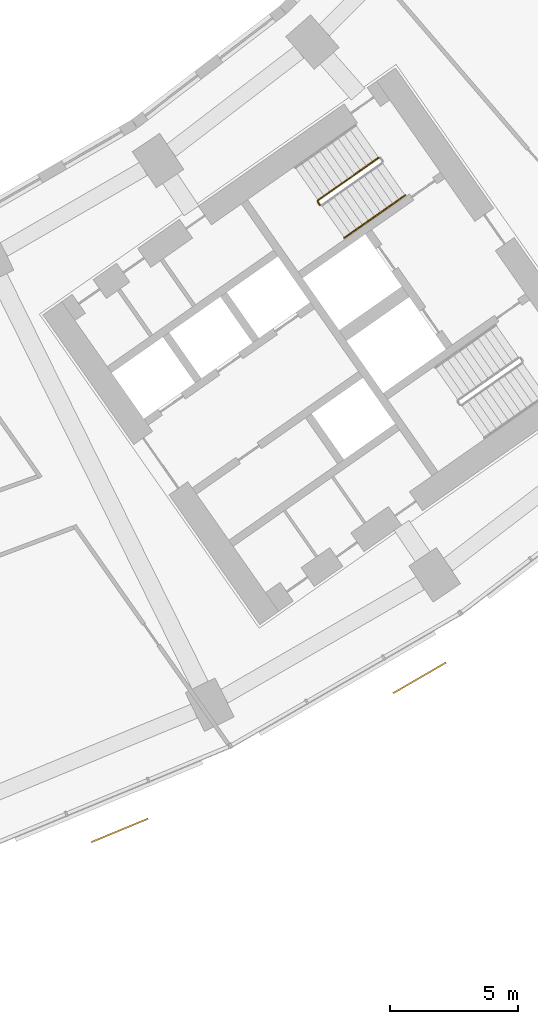
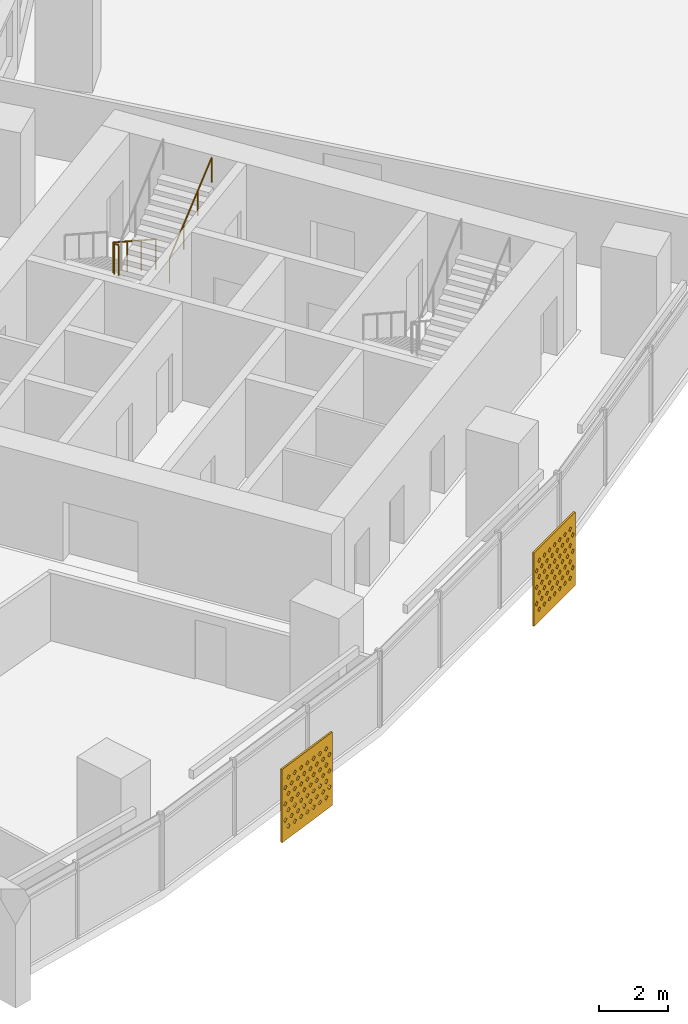
# One storey, part 27 of 29: 2 railings, 2 shading devices.
"""IFC4 building model written with IfcOpenShell, lengths in metres."""

import ifcopenshell
import ifcopenshell.guid

model = None  # the IFC model being written
_history = None  # IfcOwnerHistory: only IFC2X3 demands one
_inside = {}  # id of a spatial element -> (the spatial element, [elements in it])
_under = {}  # id of a project, library or spatial element -> (it, [spatial elements below it])
_declared = {}  # id of a project -> (the project, [libraries it declares])
_typed = {}  # id of a type object -> (the type object, [elements of that type])
_made_of = {}  # id of a material, layer set ... -> (it, [elements and type objects made of it])


def new_model(schema):
    """Start an empty IFC model of exactly this schema.

    Asked for "IFC4X3", IfcOpenShell would pick the latest addendum, in which some entities
    have other attributes; the version numbers below select the first issue.
    IFC2X3 requires an IfcOwnerHistory on every rooted entity: one is made here for all.
    """
    global model, _history
    if schema == "IFC4X3":
        model = ifcopenshell.file(schema_version=(4, 3, 0, 0))
    else:
        model = ifcopenshell.file(schema=schema)
    _inside.clear()
    _under.clear()
    _declared.clear()
    _typed.clear()
    _made_of.clear()
    _history = None
    if model.schema == "IFC2X3":
        org = make("IfcOrganization", Name="unknown")
        user = make(
            "IfcPersonAndOrganization",
            ThePerson=make("IfcPerson", FamilyName="unknown"),
            TheOrganization=org,
        )
        app = make(
            "IfcApplication",
            ApplicationDeveloper=org,
            Version="unknown",
            ApplicationFullName="unknown",
            ApplicationIdentifier="unknown",
        )
        _history = make(
            "IfcOwnerHistory",
            OwningUser=user,
            OwningApplication=app,
            ChangeAction="ADDED",
            CreationDate=0,
        )
    return model


def make(cls, **values):
    """One entity of the class cls with the attributes given. An attribute that is None is left unset."""
    return model.create_entity(
        cls, **{name: value for name, value in values.items() if value is not None}
    )


def rooted(cls, **values):
    """An entity with a GlobalId (a new one), such as an element, a storey or a relation."""
    return make(cls, GlobalId=ifcopenshell.guid.new(), OwnerHistory=_history, **values)


def si_unit(unit_type, name, prefix=None):
    """IfcSIUnit, for example si_unit("LENGTHUNIT", "METRE", prefix="MILLI")."""
    return make("IfcSIUnit", UnitType=unit_type, Prefix=prefix, Name=name)


def assignment(units):
    """IfcUnitAssignment: the units of a project."""
    return None if units is None else make("IfcUnitAssignment", Units=units)


def point(xyz):
    """IfcCartesianPoint."""
    return None if xyz is None else make("IfcCartesianPoint", Coordinates=xyz)


def direction(xyz):
    """IfcDirection."""
    return None if xyz is None else make("IfcDirection", DirectionRatios=xyz)


def frame(location, z_axis=None, x_axis=None):
    """IfcAxis2Placement3D, a coordinate frame: its origin and axes. An axis left out is left unset."""
    return make(
        "IfcAxis2Placement3D",
        Location=point(location),
        Axis=direction(z_axis),
        RefDirection=direction(x_axis),
    )


def frame_2d(location, x_axis=None):
    """IfcAxis2Placement2D, a coordinate frame in the plane: its origin and x axis."""
    return make(
        "IfcAxis2Placement2D", Location=point(location), RefDirection=direction(x_axis)
    )


def origin():
    """The frame at (0, 0, 0) with its axes left unset."""
    return frame((0.0, 0.0, 0.0))


def origin_2d():
    """The frame at (0, 0) in the plane with its x axis left unset."""
    return frame_2d((0.0, 0.0))


def place(relative_to, where):
    """IfcLocalPlacement: puts the frame where relative to a parent placement (None: the world)."""
    return make(
        "IfcLocalPlacement", PlacementRelTo=relative_to, RelativePlacement=where
    )


def context(
    kind, dimensions, precision=None, world=None, true_north=None, identifier=None
):
    """IfcGeometricRepresentationContext, for example the 3D "Model" context."""
    return make(
        "IfcGeometricRepresentationContext",
        ContextIdentifier=identifier,
        ContextType=kind,
        CoordinateSpaceDimension=dimensions,
        Precision=precision,
        WorldCoordinateSystem=world,
        TrueNorth=true_north,
    )


def subcontext(parent, identifier, kind, view, scale=None):
    """IfcGeometricRepresentationSubContext, for example "Body" below "Model"."""
    return make(
        "IfcGeometricRepresentationSubContext",
        ContextIdentifier=identifier,
        ContextType=kind,
        ParentContext=parent,
        TargetScale=scale,
        TargetView=view,
    )


def project(units=None, contexts=None):
    """IfcProject with its units and contexts."""
    return rooted(
        "IfcProject",
        Name="project",
        RepresentationContexts=contexts,
        UnitsInContext=assignment(units),
    )


def spatial(cls, under=None, at=None, **own):
    """A site, building, storey or space (cls), placed at a placement, below another one or the project."""
    s = rooted(cls, ObjectPlacement=at, **own)
    if under is not None:
        _under.setdefault(under.id(), (under, []))[1].append(s)
    return s


def polyline(points):
    """IfcPolyline through the points."""
    return make("IfcPolyline", Points=[point(p) for p in points])


def profile(cls, at=None, kind="AREA", **sizes):
    """A parametric profile (cls). Its sizes go by their IFC names, for example OverallWidth=200.0."""
    return make(cls, ProfileType=kind, Position=at, **sizes)


def circle(**sizes):
    """IfcCircleProfileDef."""
    return profile("IfcCircleProfileDef", **sizes)


def outline(outer, holes=None, kind="AREA"):
    """IfcArbitraryClosedProfileDef: a profile drawn as a closed curve; with holes, ...WithVoids."""
    if holes is None:
        return make("IfcArbitraryClosedProfileDef", ProfileType=kind, OuterCurve=outer)
    return make(
        "IfcArbitraryProfileDefWithVoids",
        ProfileType=kind,
        OuterCurve=outer,
        InnerCurves=holes,
    )


def extrude(swept, where, along, depth):
    """IfcExtrudedAreaSolid: the profile swept, set in the frame where, extruded along a direction by depth."""
    return make(
        "IfcExtrudedAreaSolid",
        SweptArea=swept,
        Position=where,
        ExtrudedDirection=direction(along),
        Depth=depth,
    )


def shape(context_of_items, identifier, shape_type, items):
    """IfcShapeRepresentation: the items that make up one representation, for example the "Body"."""
    return make(
        "IfcShapeRepresentation",
        ContextOfItems=context_of_items,
        RepresentationIdentifier=identifier,
        RepresentationType=shape_type,
        Items=items,
    )


def material(Name=None, Category=None):
    """IfcMaterial."""
    return make("IfcMaterial", Name=Name, Category=Category)


def material_profile(
    of_material, cross_section, Name=None, Category=None, Priority=None
):
    """IfcMaterialProfile: a cross section and its material."""
    return make(
        "IfcMaterialProfile",
        Name=Name,
        Material=of_material,
        Profile=cross_section,
        Priority=Priority,
        Category=Category,
    )


def profile_set(profiles, Name=None, composite=None):
    """IfcMaterialProfileSet."""
    return make(
        "IfcMaterialProfileSet",
        Name=Name,
        MaterialProfiles=profiles,
        CompositeProfile=composite,
    )


def made_of(thing, what):
    """Note that an element or type object is made of a material, layer set ...; save() writes the relation."""
    if what is not None:
        _made_of.setdefault(what.id(), (what, []))[1].append(thing)
    return thing


def type_object(cls, material=None, **own):
    """A type object (cls), such as IfcWallType, which elements share."""
    return made_of(rooted(cls, **own), material)


def element(
    cls,
    number,
    at=None,
    inside=None,
    cuts=None,
    type_object=None,
    material=None,
    context=None,
    identifier="Body",
    shape_type=None,
    held_by="IfcProductDefinitionShape",
    body=None,
    shapes=None,
    **own,
):
    """One element of the class cls, such as IfcWall. Its Tag is "e" and its number.

    at: its placement. inside: the storey or other place that contains it. cuts: it is an
    opening in that element (IfcRelVoidsElement). A single representation is given by context,
    identifier, shape_type and body (its items); several are given by shapes. held_by: the class
    of the entity that holds the representations. save() writes the other relations.
    """
    e = rooted(cls, Tag="e%d" % number, ObjectPlacement=at, **own)
    if body is not None:
        shapes = [shape(context, identifier, shape_type, body)]
    if shapes is not None:
        e.Representation = make(held_by, Representations=shapes)
    if inside is not None:
        _inside.setdefault(inside.id(), (inside, []))[1].append(e)
    if cuts is not None:
        rooted(
            "IfcRelVoidsElement", RelatingBuildingElement=cuts, RelatedOpeningElement=e
        )
    if type_object is not None:
        _typed.setdefault(type_object.id(), (type_object, []))[1].append(e)
    return made_of(e, material)


def aggregate(whole, parts):
    """IfcRelAggregates: a whole, such as a stair, and the parts it consists of."""
    return rooted("IfcRelAggregates", RelatingObject=whole, RelatedObjects=parts)


def save(model, path):
    """Write the relations noted so far, then the file.

    IfcRelAggregates (storeys below a building ...), IfcRelContainedInSpatialStructure (elements
    in a storey), IfcRelDefinesByType, IfcRelAssociatesMaterial and IfcRelDeclares: one each for
    every whole, place, type object, material and project.
    """
    for whole, parts in _under.values():
        aggregate(whole, parts)
    for where, things in _inside.values():
        rooted(
            "IfcRelContainedInSpatialStructure",
            RelatedElements=things,
            RelatingStructure=where,
        )
    for kind, things in _typed.values():
        rooted("IfcRelDefinesByType", RelatedObjects=things, RelatingType=kind)
    for what, things in _made_of.values():
        rooted("IfcRelAssociatesMaterial", RelatedObjects=things, RelatingMaterial=what)
    for by, libraries in _declared.values():
        rooted("IfcRelDeclares", RelatingContext=by, RelatedDefinitions=libraries)
    model.write(path)


model = new_model("IFC4")

# Units and contexts
model_context = context("Model", 3, precision=1e-05, world=origin(), true_north=direction((0.0, 1.0)))
body_context = subcontext(model_context, "Body", "Model", "MODEL_VIEW")
ifc_project = project(units=[si_unit("LENGTHUNIT", "METRE"), si_unit("AREAUNIT", "SQUARE_METRE"), si_unit("VOLUMEUNIT", "CUBIC_METRE"), si_unit("PLANEANGLEUNIT", "RADIAN"), si_unit("MASSUNIT", "GRAM", prefix="KILO")], contexts=[model_context])

# Site, building, storey
site_placement = place(None, origin())
site = spatial("IfcSite", under=ifc_project, at=site_placement, CompositionType="ELEMENT")
building_placement = place(site_placement, origin())
building = spatial("IfcBuilding", under=site, at=building_placement, Name="Qamariyya Broadcast Tower", CompositionType="ELEMENT")
storey_placement = place(building_placement, frame((0.0, 0.0, 44.300048828125)))
storey = spatial("IfcBuildingStorey", under=building, at=storey_placement, Name="L07", CompositionType="ELEMENT", Elevation=44.300048828125)

# Shading devices
ifc_material_1 = material(Name="Perforated glazed terracotta", Category="masonry")
ifc_material_profile = material_profile(ifc_material_1, outline(polyline([(-1.199951171875, -1.300048828125), (1.199951171875, -1.300048828125), (1.199951171875, 1.300048828125), (-1.199951171875, 1.300048828125), (-1.199951171875, -1.300048828125)]), holes=[polyline([(-0.81494140625, -0.86669921875), (-0.89990234375, -0.78173828125), (-0.985107421875, -0.86669921875), (-0.89990234375, -0.95166015625), (-0.81494140625, -0.86669921875)]), polyline([(-0.514892578125, -0.86669921875), (-0.60009765625, -0.78173828125), (-0.68505859375, -0.86669921875), (-0.60009765625, -0.95166015625), (-0.514892578125, -0.86669921875)]), polyline([(-0.215087890625, -0.86669921875), (-0.300048828125, -0.78173828125), (-0.385009765625, -0.86669921875), (-0.300048828125, -0.95166015625), (-0.215087890625, -0.86669921875)]), polyline([(0.0849609375, -0.86669921875), (0.0, -0.78173828125), (-0.0849609375, -0.86669921875), (0.0, -0.95166015625), (0.0849609375, -0.86669921875)]), polyline([(0.385009765625, -0.86669921875), (0.300048828125, -0.78173828125), (0.215087890625, -0.86669921875), (0.300048828125, -0.95166015625), (0.385009765625, -0.86669921875)]), polyline([(0.68505859375, -0.86669921875), (0.60009765625, -0.78173828125), (0.514892578125, -0.86669921875), (0.60009765625, -0.95166015625), (0.68505859375, -0.86669921875)]), polyline([(0.985107421875, -0.86669921875), (0.89990234375, -0.78173828125), (0.81494140625, -0.86669921875), (0.89990234375, -0.95166015625), (0.985107421875, -0.86669921875)]), polyline([(-0.965087890625, -0.577880859375), (-1.050048828125, -0.49267578125), (-1.135009765625, -0.577880859375), (-1.050048828125, -0.662841796875), (-0.965087890625, -0.577880859375)]), polyline([(-0.6650390625, -0.577880859375), (-0.75, -0.49267578125), (-0.8349609375, -0.577880859375), (-0.75, -0.662841796875), (-0.6650390625, -0.577880859375)]), polyline([(-0.364990234375, -0.577880859375), (-0.449951171875, -0.49267578125), (-0.534912109375, -0.577880859375), (-0.449951171875, -0.662841796875), (-0.364990234375, -0.577880859375)]), polyline([(-0.06494140625, -0.577880859375), (-0.14990234375, -0.49267578125), (-0.235107421875, -0.577880859375), (-0.14990234375, -0.662841796875), (-0.06494140625, -0.577880859375)]), polyline([(0.235107421875, -0.577880859375), (0.14990234375, -0.49267578125), (0.06494140625, -0.577880859375), (0.14990234375, -0.662841796875), (0.235107421875, -0.577880859375)]), polyline([(0.534912109375, -0.577880859375), (0.449951171875, -0.49267578125), (0.364990234375, -0.577880859375), (0.449951171875, -0.662841796875), (0.534912109375, -0.577880859375)]), polyline([(0.8349609375, -0.577880859375), (0.75, -0.49267578125), (0.6650390625, -0.577880859375), (0.75, -0.662841796875), (0.8349609375, -0.577880859375)]), polyline([(1.135009765625, -0.577880859375), (1.050048828125, -0.49267578125), (0.965087890625, -0.577880859375), (1.050048828125, -0.662841796875), (1.135009765625, -0.577880859375)]), polyline([(-0.81494140625, -0.288818359375), (-0.89990234375, -0.203857421875), (-0.985107421875, -0.288818359375), (-0.89990234375, -0.373779296875), (-0.81494140625, -0.288818359375)]), polyline([(-0.514892578125, -0.288818359375), (-0.60009765625, -0.203857421875), (-0.68505859375, -0.288818359375), (-0.60009765625, -0.373779296875), (-0.514892578125, -0.288818359375)]), polyline([(-0.215087890625, -0.288818359375), (-0.300048828125, -0.203857421875), (-0.385009765625, -0.288818359375), (-0.300048828125, -0.373779296875), (-0.215087890625, -0.288818359375)]), polyline([(0.0849609375, -0.288818359375), (0.0, -0.203857421875), (-0.0849609375, -0.288818359375), (0.0, -0.373779296875), (0.0849609375, -0.288818359375)]), polyline([(0.385009765625, -0.288818359375), (0.300048828125, -0.203857421875), (0.215087890625, -0.288818359375), (0.300048828125, -0.373779296875), (0.385009765625, -0.288818359375)]), polyline([(0.68505859375, -0.288818359375), (0.60009765625, -0.203857421875), (0.514892578125, -0.288818359375), (0.60009765625, -0.373779296875), (0.68505859375, -0.288818359375)]), polyline([(0.985107421875, -0.288818359375), (0.89990234375, -0.203857421875), (0.81494140625, -0.288818359375), (0.89990234375, -0.373779296875), (0.985107421875, -0.288818359375)]), polyline([(-0.965087890625, 0.0), (-1.050048828125, 0.0849609375), (-1.135009765625, 0.0), (-1.050048828125, -0.0849609375), (-0.965087890625, 0.0)]), polyline([(-0.6650390625, 0.0), (-0.75, 0.0849609375), (-0.8349609375, 0.0), (-0.75, -0.0849609375), (-0.6650390625, 0.0)]), polyline([(-0.364990234375, 0.0), (-0.449951171875, 0.0849609375), (-0.534912109375, 0.0), (-0.449951171875, -0.0849609375), (-0.364990234375, 0.0)]), polyline([(-0.06494140625, 0.0), (-0.14990234375, 0.0849609375), (-0.235107421875, 0.0), (-0.14990234375, -0.0849609375), (-0.06494140625, 0.0)]), polyline([(0.235107421875, 0.0), (0.14990234375, 0.0849609375), (0.06494140625, 0.0), (0.14990234375, -0.0849609375), (0.235107421875, 0.0)]), polyline([(0.534912109375, 0.0), (0.449951171875, 0.0849609375), (0.364990234375, 0.0), (0.449951171875, -0.0849609375), (0.534912109375, 0.0)]), polyline([(0.8349609375, 0.0), (0.75, 0.0849609375), (0.6650390625, 0.0), (0.75, -0.0849609375), (0.8349609375, 0.0)]), polyline([(1.135009765625, 0.0), (1.050048828125, 0.0849609375), (0.965087890625, 0.0), (1.050048828125, -0.0849609375), (1.135009765625, 0.0)]), polyline([(-0.81494140625, 0.288818359375), (-0.89990234375, 0.373779296875), (-0.985107421875, 0.288818359375), (-0.89990234375, 0.203857421875), (-0.81494140625, 0.288818359375)]), polyline([(-0.514892578125, 0.288818359375), (-0.60009765625, 0.373779296875), (-0.68505859375, 0.288818359375), (-0.60009765625, 0.203857421875), (-0.514892578125, 0.288818359375)]), polyline([(-0.215087890625, 0.288818359375), (-0.300048828125, 0.373779296875), (-0.385009765625, 0.288818359375), (-0.300048828125, 0.203857421875), (-0.215087890625, 0.288818359375)]), polyline([(0.0849609375, 0.288818359375), (0.0, 0.373779296875), (-0.0849609375, 0.288818359375), (0.0, 0.203857421875), (0.0849609375, 0.288818359375)]), polyline([(0.385009765625, 0.288818359375), (0.300048828125, 0.373779296875), (0.215087890625, 0.288818359375), (0.300048828125, 0.203857421875), (0.385009765625, 0.288818359375)]), polyline([(0.68505859375, 0.288818359375), (0.60009765625, 0.373779296875), (0.514892578125, 0.288818359375), (0.60009765625, 0.203857421875), (0.68505859375, 0.288818359375)]), polyline([(0.985107421875, 0.288818359375), (0.89990234375, 0.373779296875), (0.81494140625, 0.288818359375), (0.89990234375, 0.203857421875), (0.985107421875, 0.288818359375)]), polyline([(-0.965087890625, 0.577880859375), (-1.050048828125, 0.662841796875), (-1.135009765625, 0.577880859375), (-1.050048828125, 0.49267578125), (-0.965087890625, 0.577880859375)]), polyline([(-0.6650390625, 0.577880859375), (-0.75, 0.662841796875), (-0.8349609375, 0.577880859375), (-0.75, 0.49267578125), (-0.6650390625, 0.577880859375)]), polyline([(-0.364990234375, 0.577880859375), (-0.449951171875, 0.662841796875), (-0.534912109375, 0.577880859375), (-0.449951171875, 0.49267578125), (-0.364990234375, 0.577880859375)]), polyline([(-0.06494140625, 0.577880859375), (-0.14990234375, 0.662841796875), (-0.235107421875, 0.577880859375), (-0.14990234375, 0.49267578125), (-0.06494140625, 0.577880859375)]), polyline([(0.235107421875, 0.577880859375), (0.14990234375, 0.662841796875), (0.06494140625, 0.577880859375), (0.14990234375, 0.49267578125), (0.235107421875, 0.577880859375)]), polyline([(0.534912109375, 0.577880859375), (0.449951171875, 0.662841796875), (0.364990234375, 0.577880859375), (0.449951171875, 0.49267578125), (0.534912109375, 0.577880859375)]), polyline([(0.8349609375, 0.577880859375), (0.75, 0.662841796875), (0.6650390625, 0.577880859375), (0.75, 0.49267578125), (0.8349609375, 0.577880859375)]), polyline([(1.135009765625, 0.577880859375), (1.050048828125, 0.662841796875), (0.965087890625, 0.577880859375), (1.050048828125, 0.49267578125), (1.135009765625, 0.577880859375)]), polyline([(-0.81494140625, 0.86669921875), (-0.89990234375, 0.95166015625), (-0.985107421875, 0.86669921875), (-0.89990234375, 0.78173828125), (-0.81494140625, 0.86669921875)]), polyline([(-0.514892578125, 0.86669921875), (-0.60009765625, 0.95166015625), (-0.68505859375, 0.86669921875), (-0.60009765625, 0.78173828125), (-0.514892578125, 0.86669921875)]), polyline([(-0.215087890625, 0.86669921875), (-0.300048828125, 0.95166015625), (-0.385009765625, 0.86669921875), (-0.300048828125, 0.78173828125), (-0.215087890625, 0.86669921875)]), polyline([(0.0849609375, 0.86669921875), (0.0, 0.95166015625), (-0.0849609375, 0.86669921875), (0.0, 0.78173828125), (0.0849609375, 0.86669921875)]), polyline([(0.385009765625, 0.86669921875), (0.300048828125, 0.95166015625), (0.215087890625, 0.86669921875), (0.300048828125, 0.78173828125), (0.385009765625, 0.86669921875)]), polyline([(0.68505859375, 0.86669921875), (0.60009765625, 0.95166015625), (0.514892578125, 0.86669921875), (0.60009765625, 0.78173828125), (0.68505859375, 0.86669921875)]), polyline([(0.985107421875, 0.86669921875), (0.89990234375, 0.95166015625), (0.81494140625, 0.86669921875), (0.89990234375, 0.78173828125), (0.985107421875, 0.86669921875)])]))
ifc_profile_set = profile_set([ifc_material_profile], Name="Perforated glazed terracotta")
shading_device_type = type_object("IfcShadingDeviceType", Name="Perforated terracotta screen 2400 x 2600", PredefinedType="USERDEFINED", material=ifc_profile_set)
shading_device_1_placement = place(storey_placement, frame((30.85302734375, -74.622802734375, 1.349853515625), z_axis=(0.382591441855, -0.923917630863, 0.0), x_axis=(0.923917630863, 0.382591441855, 0.0)))
element("IfcShadingDevice", 1, at=shading_device_1_placement, inside=storey, type_object=shading_device_type, Name="e-scr-L07-11-1", ObjectType="SCREEN", PredefinedType="USERDEFINED", context=body_context, shape_type="SweptSolid", body=[
    extrude(outline(polyline([(-1.199951171875, -1.300048828125), (1.199951171875, -1.300048828125), (1.199951171875, 1.300048828125), (-1.199951171875, 1.300048828125), (-1.199951171875, -1.300048828125)]), holes=[polyline([(-0.81494140625, -0.86669921875), (-0.89990234375, -0.78173828125), (-0.985107421875, -0.86669921875), (-0.89990234375, -0.95166015625), (-0.81494140625, -0.86669921875)]), polyline([(-0.514892578125, -0.86669921875), (-0.60009765625, -0.78173828125), (-0.68505859375, -0.86669921875), (-0.60009765625, -0.95166015625), (-0.514892578125, -0.86669921875)]), polyline([(-0.215087890625, -0.86669921875), (-0.300048828125, -0.78173828125), (-0.385009765625, -0.86669921875), (-0.300048828125, -0.95166015625), (-0.215087890625, -0.86669921875)]), polyline([(0.0849609375, -0.86669921875), (0.0, -0.78173828125), (-0.0849609375, -0.86669921875), (0.0, -0.95166015625), (0.0849609375, -0.86669921875)]), polyline([(0.385009765625, -0.86669921875), (0.300048828125, -0.78173828125), (0.215087890625, -0.86669921875), (0.300048828125, -0.95166015625), (0.385009765625, -0.86669921875)]), polyline([(0.68505859375, -0.86669921875), (0.60009765625, -0.78173828125), (0.514892578125, -0.86669921875), (0.60009765625, -0.95166015625), (0.68505859375, -0.86669921875)]), polyline([(0.985107421875, -0.86669921875), (0.89990234375, -0.78173828125), (0.81494140625, -0.86669921875), (0.89990234375, -0.95166015625), (0.985107421875, -0.86669921875)]), polyline([(-0.965087890625, -0.577880859375), (-1.050048828125, -0.49267578125), (-1.135009765625, -0.577880859375), (-1.050048828125, -0.662841796875), (-0.965087890625, -0.577880859375)]), polyline([(-0.6650390625, -0.577880859375), (-0.75, -0.49267578125), (-0.8349609375, -0.577880859375), (-0.75, -0.662841796875), (-0.6650390625, -0.577880859375)]), polyline([(-0.364990234375, -0.577880859375), (-0.449951171875, -0.49267578125), (-0.534912109375, -0.577880859375), (-0.449951171875, -0.662841796875), (-0.364990234375, -0.577880859375)]), polyline([(-0.06494140625, -0.577880859375), (-0.14990234375, -0.49267578125), (-0.235107421875, -0.577880859375), (-0.14990234375, -0.662841796875), (-0.06494140625, -0.577880859375)]), polyline([(0.235107421875, -0.577880859375), (0.14990234375, -0.49267578125), (0.06494140625, -0.577880859375), (0.14990234375, -0.662841796875), (0.235107421875, -0.577880859375)]), polyline([(0.534912109375, -0.577880859375), (0.449951171875, -0.49267578125), (0.364990234375, -0.577880859375), (0.449951171875, -0.662841796875), (0.534912109375, -0.577880859375)]), polyline([(0.8349609375, -0.577880859375), (0.75, -0.49267578125), (0.6650390625, -0.577880859375), (0.75, -0.662841796875), (0.8349609375, -0.577880859375)]), polyline([(1.135009765625, -0.577880859375), (1.050048828125, -0.49267578125), (0.965087890625, -0.577880859375), (1.050048828125, -0.662841796875), (1.135009765625, -0.577880859375)]), polyline([(-0.81494140625, -0.288818359375), (-0.89990234375, -0.203857421875), (-0.985107421875, -0.288818359375), (-0.89990234375, -0.373779296875), (-0.81494140625, -0.288818359375)]), polyline([(-0.514892578125, -0.288818359375), (-0.60009765625, -0.203857421875), (-0.68505859375, -0.288818359375), (-0.60009765625, -0.373779296875), (-0.514892578125, -0.288818359375)]), polyline([(-0.215087890625, -0.288818359375), (-0.300048828125, -0.203857421875), (-0.385009765625, -0.288818359375), (-0.300048828125, -0.373779296875), (-0.215087890625, -0.288818359375)]), polyline([(0.0849609375, -0.288818359375), (0.0, -0.203857421875), (-0.0849609375, -0.288818359375), (0.0, -0.373779296875), (0.0849609375, -0.288818359375)]), polyline([(0.385009765625, -0.288818359375), (0.300048828125, -0.203857421875), (0.215087890625, -0.288818359375), (0.300048828125, -0.373779296875), (0.385009765625, -0.288818359375)]), polyline([(0.68505859375, -0.288818359375), (0.60009765625, -0.203857421875), (0.514892578125, -0.288818359375), (0.60009765625, -0.373779296875), (0.68505859375, -0.288818359375)]), polyline([(0.985107421875, -0.288818359375), (0.89990234375, -0.203857421875), (0.81494140625, -0.288818359375), (0.89990234375, -0.373779296875), (0.985107421875, -0.288818359375)]), polyline([(-0.965087890625, 0.0), (-1.050048828125, 0.0849609375), (-1.135009765625, 0.0), (-1.050048828125, -0.0849609375), (-0.965087890625, 0.0)]), polyline([(-0.6650390625, 0.0), (-0.75, 0.0849609375), (-0.8349609375, 0.0), (-0.75, -0.0849609375), (-0.6650390625, 0.0)]), polyline([(-0.364990234375, 0.0), (-0.449951171875, 0.0849609375), (-0.534912109375, 0.0), (-0.449951171875, -0.0849609375), (-0.364990234375, 0.0)]), polyline([(-0.06494140625, 0.0), (-0.14990234375, 0.0849609375), (-0.235107421875, 0.0), (-0.14990234375, -0.0849609375), (-0.06494140625, 0.0)]), polyline([(0.235107421875, 0.0), (0.14990234375, 0.0849609375), (0.06494140625, 0.0), (0.14990234375, -0.0849609375), (0.235107421875, 0.0)]), polyline([(0.534912109375, 0.0), (0.449951171875, 0.0849609375), (0.364990234375, 0.0), (0.449951171875, -0.0849609375), (0.534912109375, 0.0)]), polyline([(0.8349609375, 0.0), (0.75, 0.0849609375), (0.6650390625, 0.0), (0.75, -0.0849609375), (0.8349609375, 0.0)]), polyline([(1.135009765625, 0.0), (1.050048828125, 0.0849609375), (0.965087890625, 0.0), (1.050048828125, -0.0849609375), (1.135009765625, 0.0)]), polyline([(-0.81494140625, 0.288818359375), (-0.89990234375, 0.373779296875), (-0.985107421875, 0.288818359375), (-0.89990234375, 0.203857421875), (-0.81494140625, 0.288818359375)]), polyline([(-0.514892578125, 0.288818359375), (-0.60009765625, 0.373779296875), (-0.68505859375, 0.288818359375), (-0.60009765625, 0.203857421875), (-0.514892578125, 0.288818359375)]), polyline([(-0.215087890625, 0.288818359375), (-0.300048828125, 0.373779296875), (-0.385009765625, 0.288818359375), (-0.300048828125, 0.203857421875), (-0.215087890625, 0.288818359375)]), polyline([(0.0849609375, 0.288818359375), (0.0, 0.373779296875), (-0.0849609375, 0.288818359375), (0.0, 0.203857421875), (0.0849609375, 0.288818359375)]), polyline([(0.385009765625, 0.288818359375), (0.300048828125, 0.373779296875), (0.215087890625, 0.288818359375), (0.300048828125, 0.203857421875), (0.385009765625, 0.288818359375)]), polyline([(0.68505859375, 0.288818359375), (0.60009765625, 0.373779296875), (0.514892578125, 0.288818359375), (0.60009765625, 0.203857421875), (0.68505859375, 0.288818359375)]), polyline([(0.985107421875, 0.288818359375), (0.89990234375, 0.373779296875), (0.81494140625, 0.288818359375), (0.89990234375, 0.203857421875), (0.985107421875, 0.288818359375)]), polyline([(-0.965087890625, 0.577880859375), (-1.050048828125, 0.662841796875), (-1.135009765625, 0.577880859375), (-1.050048828125, 0.49267578125), (-0.965087890625, 0.577880859375)]), polyline([(-0.6650390625, 0.577880859375), (-0.75, 0.662841796875), (-0.8349609375, 0.577880859375), (-0.75, 0.49267578125), (-0.6650390625, 0.577880859375)]), polyline([(-0.364990234375, 0.577880859375), (-0.449951171875, 0.662841796875), (-0.534912109375, 0.577880859375), (-0.449951171875, 0.49267578125), (-0.364990234375, 0.577880859375)]), polyline([(-0.06494140625, 0.577880859375), (-0.14990234375, 0.662841796875), (-0.235107421875, 0.577880859375), (-0.14990234375, 0.49267578125), (-0.06494140625, 0.577880859375)]), polyline([(0.235107421875, 0.577880859375), (0.14990234375, 0.662841796875), (0.06494140625, 0.577880859375), (0.14990234375, 0.49267578125), (0.235107421875, 0.577880859375)]), polyline([(0.534912109375, 0.577880859375), (0.449951171875, 0.662841796875), (0.364990234375, 0.577880859375), (0.449951171875, 0.49267578125), (0.534912109375, 0.577880859375)]), polyline([(0.8349609375, 0.577880859375), (0.75, 0.662841796875), (0.6650390625, 0.577880859375), (0.75, 0.49267578125), (0.8349609375, 0.577880859375)]), polyline([(1.135009765625, 0.577880859375), (1.050048828125, 0.662841796875), (0.965087890625, 0.577880859375), (1.050048828125, 0.49267578125), (1.135009765625, 0.577880859375)]), polyline([(-0.81494140625, 0.86669921875), (-0.89990234375, 0.95166015625), (-0.985107421875, 0.86669921875), (-0.89990234375, 0.78173828125), (-0.81494140625, 0.86669921875)]), polyline([(-0.514892578125, 0.86669921875), (-0.60009765625, 0.95166015625), (-0.68505859375, 0.86669921875), (-0.60009765625, 0.78173828125), (-0.514892578125, 0.86669921875)]), polyline([(-0.215087890625, 0.86669921875), (-0.300048828125, 0.95166015625), (-0.385009765625, 0.86669921875), (-0.300048828125, 0.78173828125), (-0.215087890625, 0.86669921875)]), polyline([(0.0849609375, 0.86669921875), (0.0, 0.95166015625), (-0.0849609375, 0.86669921875), (0.0, 0.78173828125), (0.0849609375, 0.86669921875)]), polyline([(0.385009765625, 0.86669921875), (0.300048828125, 0.95166015625), (0.215087890625, 0.86669921875), (0.300048828125, 0.78173828125), (0.385009765625, 0.86669921875)]), polyline([(0.68505859375, 0.86669921875), (0.60009765625, 0.95166015625), (0.514892578125, 0.86669921875), (0.60009765625, 0.78173828125), (0.68505859375, 0.86669921875)]), polyline([(0.985107421875, 0.86669921875), (0.89990234375, 0.95166015625), (0.81494140625, 0.86669921875), (0.89990234375, 0.78173828125), (0.985107421875, 0.86669921875)])]), origin(), (0.0, 0.0, 1.0), 0.06005859375),
])
shading_device_2_placement = place(storey_placement, frame((42.585205078125, -68.655029296875, 1.349853515625), z_axis=(0.501840203948, -0.86496035152, 0.0), x_axis=(0.86496035152, 0.501840203948, 0.0)))
element("IfcShadingDevice", 2, at=shading_device_2_placement, inside=storey, type_object=shading_device_type, Name="e-scr-L07-12-2", ObjectType="SCREEN", PredefinedType="USERDEFINED", context=body_context, shape_type="SweptSolid", body=[
    extrude(outline(polyline([(-1.199951171875, -1.300048828125), (1.199951171875, -1.300048828125), (1.199951171875, 1.300048828125), (-1.199951171875, 1.300048828125), (-1.199951171875, -1.300048828125)]), holes=[polyline([(-0.81494140625, -0.86669921875), (-0.89990234375, -0.78173828125), (-0.985107421875, -0.86669921875), (-0.89990234375, -0.95166015625), (-0.81494140625, -0.86669921875)]), polyline([(-0.514892578125, -0.86669921875), (-0.60009765625, -0.78173828125), (-0.68505859375, -0.86669921875), (-0.60009765625, -0.95166015625), (-0.514892578125, -0.86669921875)]), polyline([(-0.215087890625, -0.86669921875), (-0.300048828125, -0.78173828125), (-0.385009765625, -0.86669921875), (-0.300048828125, -0.95166015625), (-0.215087890625, -0.86669921875)]), polyline([(0.0849609375, -0.86669921875), (0.0, -0.78173828125), (-0.0849609375, -0.86669921875), (0.0, -0.95166015625), (0.0849609375, -0.86669921875)]), polyline([(0.385009765625, -0.86669921875), (0.300048828125, -0.78173828125), (0.215087890625, -0.86669921875), (0.300048828125, -0.95166015625), (0.385009765625, -0.86669921875)]), polyline([(0.68505859375, -0.86669921875), (0.60009765625, -0.78173828125), (0.514892578125, -0.86669921875), (0.60009765625, -0.95166015625), (0.68505859375, -0.86669921875)]), polyline([(0.985107421875, -0.86669921875), (0.89990234375, -0.78173828125), (0.81494140625, -0.86669921875), (0.89990234375, -0.95166015625), (0.985107421875, -0.86669921875)]), polyline([(-0.965087890625, -0.577880859375), (-1.050048828125, -0.49267578125), (-1.135009765625, -0.577880859375), (-1.050048828125, -0.662841796875), (-0.965087890625, -0.577880859375)]), polyline([(-0.6650390625, -0.577880859375), (-0.75, -0.49267578125), (-0.8349609375, -0.577880859375), (-0.75, -0.662841796875), (-0.6650390625, -0.577880859375)]), polyline([(-0.364990234375, -0.577880859375), (-0.449951171875, -0.49267578125), (-0.534912109375, -0.577880859375), (-0.449951171875, -0.662841796875), (-0.364990234375, -0.577880859375)]), polyline([(-0.06494140625, -0.577880859375), (-0.14990234375, -0.49267578125), (-0.235107421875, -0.577880859375), (-0.14990234375, -0.662841796875), (-0.06494140625, -0.577880859375)]), polyline([(0.235107421875, -0.577880859375), (0.14990234375, -0.49267578125), (0.06494140625, -0.577880859375), (0.14990234375, -0.662841796875), (0.235107421875, -0.577880859375)]), polyline([(0.534912109375, -0.577880859375), (0.449951171875, -0.49267578125), (0.364990234375, -0.577880859375), (0.449951171875, -0.662841796875), (0.534912109375, -0.577880859375)]), polyline([(0.8349609375, -0.577880859375), (0.75, -0.49267578125), (0.6650390625, -0.577880859375), (0.75, -0.662841796875), (0.8349609375, -0.577880859375)]), polyline([(1.135009765625, -0.577880859375), (1.050048828125, -0.49267578125), (0.965087890625, -0.577880859375), (1.050048828125, -0.662841796875), (1.135009765625, -0.577880859375)]), polyline([(-0.81494140625, -0.288818359375), (-0.89990234375, -0.203857421875), (-0.985107421875, -0.288818359375), (-0.89990234375, -0.373779296875), (-0.81494140625, -0.288818359375)]), polyline([(-0.514892578125, -0.288818359375), (-0.60009765625, -0.203857421875), (-0.68505859375, -0.288818359375), (-0.60009765625, -0.373779296875), (-0.514892578125, -0.288818359375)]), polyline([(-0.215087890625, -0.288818359375), (-0.300048828125, -0.203857421875), (-0.385009765625, -0.288818359375), (-0.300048828125, -0.373779296875), (-0.215087890625, -0.288818359375)]), polyline([(0.0849609375, -0.288818359375), (0.0, -0.203857421875), (-0.0849609375, -0.288818359375), (0.0, -0.373779296875), (0.0849609375, -0.288818359375)]), polyline([(0.385009765625, -0.288818359375), (0.300048828125, -0.203857421875), (0.215087890625, -0.288818359375), (0.300048828125, -0.373779296875), (0.385009765625, -0.288818359375)]), polyline([(0.68505859375, -0.288818359375), (0.60009765625, -0.203857421875), (0.514892578125, -0.288818359375), (0.60009765625, -0.373779296875), (0.68505859375, -0.288818359375)]), polyline([(0.985107421875, -0.288818359375), (0.89990234375, -0.203857421875), (0.81494140625, -0.288818359375), (0.89990234375, -0.373779296875), (0.985107421875, -0.288818359375)]), polyline([(-0.965087890625, 0.0), (-1.050048828125, 0.0849609375), (-1.135009765625, 0.0), (-1.050048828125, -0.0849609375), (-0.965087890625, 0.0)]), polyline([(-0.6650390625, 0.0), (-0.75, 0.0849609375), (-0.8349609375, 0.0), (-0.75, -0.0849609375), (-0.6650390625, 0.0)]), polyline([(-0.364990234375, 0.0), (-0.449951171875, 0.0849609375), (-0.534912109375, 0.0), (-0.449951171875, -0.0849609375), (-0.364990234375, 0.0)]), polyline([(-0.06494140625, 0.0), (-0.14990234375, 0.0849609375), (-0.235107421875, 0.0), (-0.14990234375, -0.0849609375), (-0.06494140625, 0.0)]), polyline([(0.235107421875, 0.0), (0.14990234375, 0.0849609375), (0.06494140625, 0.0), (0.14990234375, -0.0849609375), (0.235107421875, 0.0)]), polyline([(0.534912109375, 0.0), (0.449951171875, 0.0849609375), (0.364990234375, 0.0), (0.449951171875, -0.0849609375), (0.534912109375, 0.0)]), polyline([(0.8349609375, 0.0), (0.75, 0.0849609375), (0.6650390625, 0.0), (0.75, -0.0849609375), (0.8349609375, 0.0)]), polyline([(1.135009765625, 0.0), (1.050048828125, 0.0849609375), (0.965087890625, 0.0), (1.050048828125, -0.0849609375), (1.135009765625, 0.0)]), polyline([(-0.81494140625, 0.288818359375), (-0.89990234375, 0.373779296875), (-0.985107421875, 0.288818359375), (-0.89990234375, 0.203857421875), (-0.81494140625, 0.288818359375)]), polyline([(-0.514892578125, 0.288818359375), (-0.60009765625, 0.373779296875), (-0.68505859375, 0.288818359375), (-0.60009765625, 0.203857421875), (-0.514892578125, 0.288818359375)]), polyline([(-0.215087890625, 0.288818359375), (-0.300048828125, 0.373779296875), (-0.385009765625, 0.288818359375), (-0.300048828125, 0.203857421875), (-0.215087890625, 0.288818359375)]), polyline([(0.0849609375, 0.288818359375), (0.0, 0.373779296875), (-0.0849609375, 0.288818359375), (0.0, 0.203857421875), (0.0849609375, 0.288818359375)]), polyline([(0.385009765625, 0.288818359375), (0.300048828125, 0.373779296875), (0.215087890625, 0.288818359375), (0.300048828125, 0.203857421875), (0.385009765625, 0.288818359375)]), polyline([(0.68505859375, 0.288818359375), (0.60009765625, 0.373779296875), (0.514892578125, 0.288818359375), (0.60009765625, 0.203857421875), (0.68505859375, 0.288818359375)]), polyline([(0.985107421875, 0.288818359375), (0.89990234375, 0.373779296875), (0.81494140625, 0.288818359375), (0.89990234375, 0.203857421875), (0.985107421875, 0.288818359375)]), polyline([(-0.965087890625, 0.577880859375), (-1.050048828125, 0.662841796875), (-1.135009765625, 0.577880859375), (-1.050048828125, 0.49267578125), (-0.965087890625, 0.577880859375)]), polyline([(-0.6650390625, 0.577880859375), (-0.75, 0.662841796875), (-0.8349609375, 0.577880859375), (-0.75, 0.49267578125), (-0.6650390625, 0.577880859375)]), polyline([(-0.364990234375, 0.577880859375), (-0.449951171875, 0.662841796875), (-0.534912109375, 0.577880859375), (-0.449951171875, 0.49267578125), (-0.364990234375, 0.577880859375)]), polyline([(-0.06494140625, 0.577880859375), (-0.14990234375, 0.662841796875), (-0.235107421875, 0.577880859375), (-0.14990234375, 0.49267578125), (-0.06494140625, 0.577880859375)]), polyline([(0.235107421875, 0.577880859375), (0.14990234375, 0.662841796875), (0.06494140625, 0.577880859375), (0.14990234375, 0.49267578125), (0.235107421875, 0.577880859375)]), polyline([(0.534912109375, 0.577880859375), (0.449951171875, 0.662841796875), (0.364990234375, 0.577880859375), (0.449951171875, 0.49267578125), (0.534912109375, 0.577880859375)]), polyline([(0.8349609375, 0.577880859375), (0.75, 0.662841796875), (0.6650390625, 0.577880859375), (0.75, 0.49267578125), (0.8349609375, 0.577880859375)]), polyline([(1.135009765625, 0.577880859375), (1.050048828125, 0.662841796875), (0.965087890625, 0.577880859375), (1.050048828125, 0.49267578125), (1.135009765625, 0.577880859375)]), polyline([(-0.81494140625, 0.86669921875), (-0.89990234375, 0.95166015625), (-0.985107421875, 0.86669921875), (-0.89990234375, 0.78173828125), (-0.81494140625, 0.86669921875)]), polyline([(-0.514892578125, 0.86669921875), (-0.60009765625, 0.95166015625), (-0.68505859375, 0.86669921875), (-0.60009765625, 0.78173828125), (-0.514892578125, 0.86669921875)]), polyline([(-0.215087890625, 0.86669921875), (-0.300048828125, 0.95166015625), (-0.385009765625, 0.86669921875), (-0.300048828125, 0.78173828125), (-0.215087890625, 0.86669921875)]), polyline([(0.0849609375, 0.86669921875), (0.0, 0.95166015625), (-0.0849609375, 0.86669921875), (0.0, 0.78173828125), (0.0849609375, 0.86669921875)]), polyline([(0.385009765625, 0.86669921875), (0.300048828125, 0.95166015625), (0.215087890625, 0.86669921875), (0.300048828125, 0.78173828125), (0.385009765625, 0.86669921875)]), polyline([(0.68505859375, 0.86669921875), (0.60009765625, 0.95166015625), (0.514892578125, 0.86669921875), (0.60009765625, 0.78173828125), (0.68505859375, 0.86669921875)]), polyline([(0.985107421875, 0.86669921875), (0.89990234375, 0.95166015625), (0.81494140625, 0.86669921875), (0.89990234375, 0.78173828125), (0.985107421875, 0.86669921875)])]), origin(), (0.0, 0.0, 1.0), 0.059814453125),
])

# Railings
ifc_material_2 = material(Name="Painted steel", Category="steel")
railing_type_1 = type_object("IfcRailingType", Name="Stair guard", PredefinedType="GUARDRAIL", material=ifc_material_2)
railing_1_placement = place(storey_placement, frame((41.003173828125, -48.320068359375, 0.172607421875)))
element("IfcRailing", 3, at=railing_1_placement, inside=storey, type_object=railing_type_1, Name="L07 ST-E2 stair guard 1", PredefinedType="GUARDRAIL", context=body_context, shape_type="SweptSolid", body=[
    extrude(circle(Radius=0.02392578125, at=origin_2d()), frame((0.0, 0.0, 1.076171875), z_axis=(-0.703770094002, -0.492783725636, 0.511734163933), x_axis=(0.573575343427, -0.819152809562, 0.0)), (0.0, 0.0, 1.0), 3.37548828125),
    extrude(circle(Radius=0.02392578125, at=origin_2d()), frame((-2.37548828125, -1.663330078125, 2.80322265625), z_axis=(-0.172799478008, -0.984957024646, 0.0), x_axis=(0.984957024646, -0.172799478008, 0.0)), (0.0, 0.0, 1.0), 0.070556640625),
    extrude(circle(Radius=0.02392578125, at=origin_2d()), frame((-2.3876953125, -1.73291015625, 2.80322265625), z_axis=(0.572588637393, -0.819842821722, 0.0), x_axis=(0.819842821722, 0.572588637393, 0.0)), (0.0, 0.0, 1.0), 0.150146484375),
    extrude(circle(Radius=0.02099609375, at=origin_2d()), origin(), (0.0, 0.0, 1.0), 1.052001953125),
    extrude(circle(Radius=0.02099609375, at=origin_2d()), frame((-0.791748046875, -0.554443359375, 0.57568359375)), (0.0, 0.0, 1.0), 1.052001953125),
    extrude(circle(Radius=0.02099609375, at=origin_2d()), frame((-1.583740234375, -1.10888671875, 1.151611328125)), (0.0, 0.0, 1.0), 1.052001953125),
    extrude(circle(Radius=0.02099609375, at=origin_2d()), frame((-2.37548828125, -1.663330078125, 1.727294921875)), (0.0, 0.0, 1.0), 1.052001953125),
    extrude(circle(Radius=0.02099609375, at=origin_2d()), frame((-2.3876953125, -1.73291015625, 1.727294921875)), (0.0, 0.0, 1.0), 1.052001953125),
    extrude(circle(Radius=0.02099609375, at=origin_2d()), frame((-2.3017578125, -1.85595703125, 1.727294921875)), (0.0, 0.0, 1.0), 1.052001953125),
])
ifc_material_3 = material(Name="Stainless steel", Category="steel")
railing_type_2 = type_object("IfcRailingType", Name="Stair handrail", PredefinedType="HANDRAIL", material=ifc_material_3)
railing_2_placement = place(storey_placement, frame((39.66015625, -51.4580078125, 2.07275390625)))
element("IfcRailing", 4, at=railing_2_placement, inside=storey, type_object=railing_type_2, Name="L07 ST-E2 stair handrail 2", PredefinedType="HANDRAIL", context=body_context, shape_type="SweptSolid", body=[
    extrude(circle(Radius=0.02392578125, at=origin_2d()), frame((0.0, 0.0, 0.8759765625), z_axis=(0.703745009021, 0.492838488332, 0.511715923826), x_axis=(-0.573631830683, 0.819113253969, 0.0)), (0.0, 0.0, 1.0), 3.37548828125),
    extrude(circle(Radius=0.02099609375, at=origin_2d()), origin(), (0.0, 0.0, 1.0), 0.851806640625),
    extrude(circle(Radius=0.02099609375, at=origin_2d()), frame((0.791748046875, 0.554443359375, 0.57568359375)), (0.0, 0.0, 1.0), 0.851806640625),
    extrude(circle(Radius=0.02099609375, at=origin_2d()), frame((1.583740234375, 1.109130859375, 1.151611328125)), (0.0, 0.0, 1.0), 0.851806640625),
    extrude(circle(Radius=0.02099609375, at=origin_2d()), frame((2.37548828125, 1.66357421875, 1.727294921875)), (0.0, 0.0, 1.0), 0.851806640625),
])

save(model, "model.ifc")
